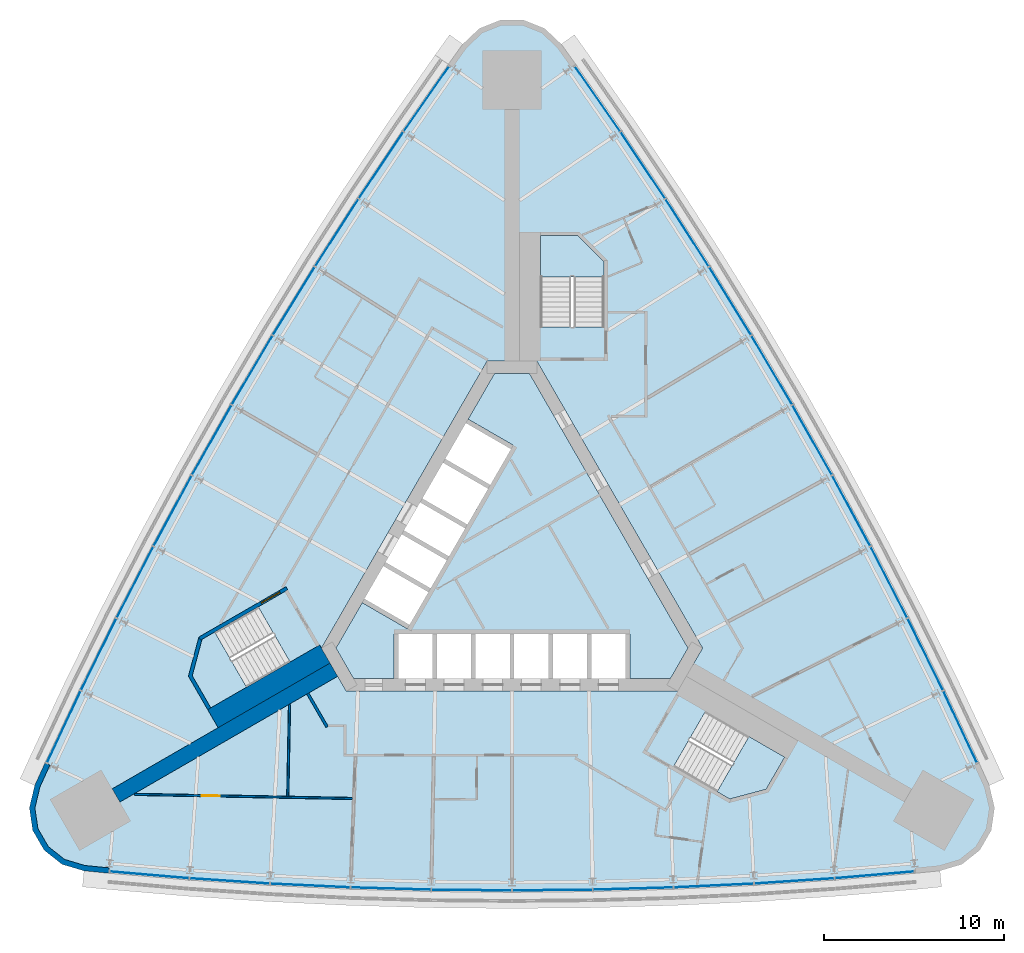
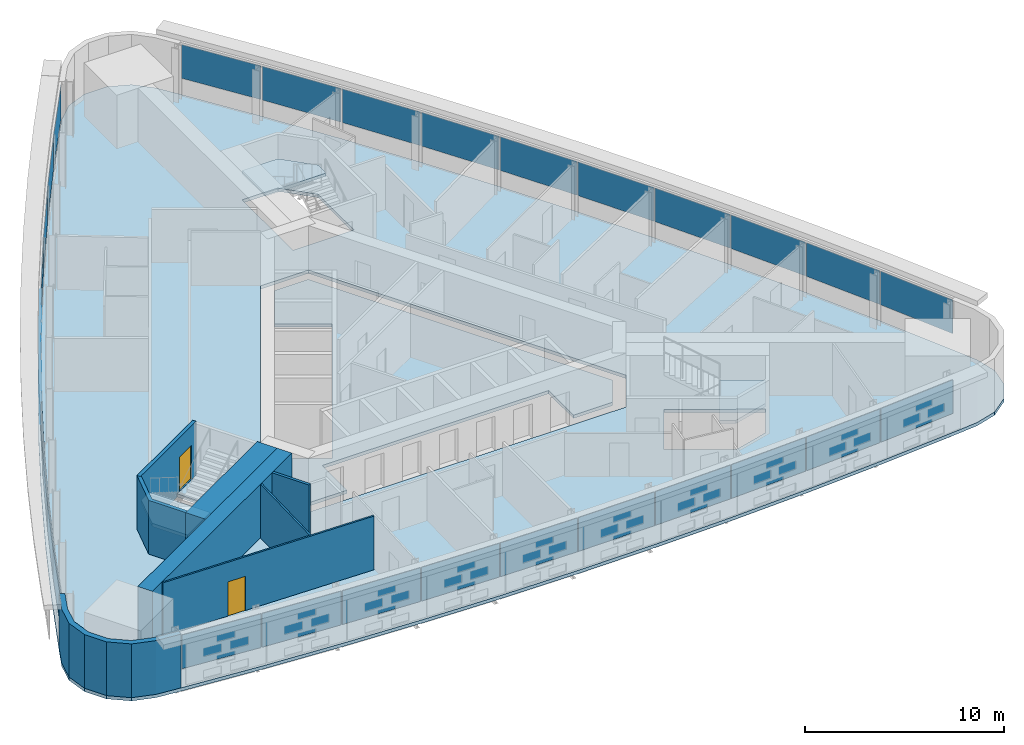
# One storey, part 9 of 15: 30 plates, 8 walls, 5 slabs, 2 doors, 2 openings, 6 elements without a shape of their own.
"""IFC4 building model written with IfcOpenShell, lengths in metres."""

from ifc_helpers import new_model, si_unit, direction, frame, frame_2d, origin, origin_2d, place, context, subcontext, project, spatial, polyline, rectangle, outline, extrude, material, layer, layer_set, type_object, element, fill, aggregate, save


model = new_model("IFC4")

# Units and contexts
model_context = context("Model", 3, precision=1e-05, world=origin(), true_north=direction((0.0, 1.0)))
body_context = subcontext(model_context, "Body", "Model", "MODEL_VIEW")
ifc_project = project(units=[si_unit("LENGTHUNIT", "METRE"), si_unit("AREAUNIT", "SQUARE_METRE"), si_unit("VOLUMEUNIT", "CUBIC_METRE"), si_unit("PLANEANGLEUNIT", "RADIAN"), si_unit("MASSUNIT", "GRAM", prefix="KILO")], contexts=[model_context])

# Site, building, storey
site_placement = place(None, origin())
site = spatial("IfcSite", under=ifc_project, at=site_placement, CompositionType="ELEMENT")
building_placement = place(site_placement, origin())
building = spatial("IfcBuilding", under=site, at=building_placement, Name="Noor Cloister Tower", CompositionType="ELEMENT")
storey_placement = place(building_placement, frame((0.0, 0.0, 49.199951171875)))
storey = spatial("IfcBuildingStorey", under=building, at=storey_placement, Name="L12", CompositionType="ELEMENT", Elevation=49.199951171875)

# Slabs
ifc_material_1 = material(Name="Concrete C40/50", Category="concrete")
ifc_layer_1 = layer(ifc_material_1, 0.199951171875)
ifc_layer_set_1 = layer_set([ifc_layer_1], Name="Core floor slab 200 C40/50")
slab_type_1 = type_object("IfcSlabType", Name="Core floor slab 200 C40/50", PredefinedType="FLOOR", material=ifc_layer_set_1)
slab_1_placement = place(storey_placement, frame((0.0, 0.0, -0.199951171875)))
element("IfcSlab", 1, at=slab_1_placement, inside=storey, type_object=slab_type_1, Name="Core floor L12", PredefinedType="FLOOR", context=body_context, shape_type="SweptSolid", body=[
    extrude(outline(polyline([(-6.574951171875, -6.228271484375), (-6.574951171875, -3.728271484375), (6.574951171875, -3.728271484375), (6.574951171875, -6.228271484375), (8.82470703125, -6.228271484375), (9.80615234375, -4.5283203125), (0.9814453125, 10.75634765625), (-0.9814453125, 10.75634765625), (-2.44384765625, 8.2236328125), (0.067626953125, 6.773681640625), (-5.832275390625, -3.4453125), (-8.34375, -1.995361328125), (-9.80615234375, -4.5283203125), (-8.82470703125, -6.228271484375), (-6.574951171875, -6.228271484375)])), origin(), (0.0, 0.0, 1.0), 0.199951171875),
])
ifc_material_2 = material(Name="Concrete C40/50", Category="concrete")
ifc_layer_2 = layer(ifc_material_2, 0.199951171875)
ifc_layer_set_2 = layer_set([ifc_layer_2], Name="Floor slab 200 C40/50")
slab_type_2 = type_object("IfcSlabType", Name="Floor slab 200 C40/50", PredefinedType="FLOOR", material=ifc_layer_set_2)
slab_2_placement = place(storey_placement, frame((0.0, 0.0, -0.199951171875)))
element("IfcSlab", 2, at=slab_2_placement, inside=storey, type_object=slab_type_2, Name="Floor slab L12", PredefinedType="FLOOR", context=body_context, shape_type="SweptSolid", body=[
    extrude(outline(polyline([(2.743896484375, 29.1142578125), (1.819091796875, 29.98876953125), (0.636474609375, 30.45947265625), (-0.636474609375, 30.45947265625), (-1.819091796875, 29.98876953125), (-2.743896484375, 29.1142578125), (-3.548095703125, 27.990478515625), (-6.12109375, 24.298828125), (-8.6240234375, 20.55908203125), (-11.0556640625, 16.77294921875), (-13.415283203125, 12.941162109375), (-15.7021484375, 9.065673828125), (-17.9150390625, 5.1474609375), (-20.053466796875, 1.18798828125), (-22.11669921875, -2.81103515625), (-24.10400390625, -6.848388671875), (-26.014404296875, -10.922607421875), (-26.585693359375, -12.180908203125), (-26.880615234375, -13.419189453125), (-26.697021484375, -14.6787109375), (-26.060546875, -15.781005859375), (-25.0615234375, -16.56982421875), (-23.841796875, -16.933349609375), (-22.466552734375, -17.06787109375), (-17.98291015625, -17.450439453125), (-13.49267578125, -17.748291015625), (-8.997802734375, -17.9609375), (-4.499755859375, -18.088623046875), (0.0, -18.131103515625), (4.499755859375, -18.088623046875), (8.997802734375, -17.9609375), (13.49267578125, -17.748291015625), (17.98291015625, -17.450439453125), (22.466552734375, -17.06787109375), (23.841796875, -16.933349609375), (25.0615234375, -16.56982421875), (26.060546875, -15.781005859375), (26.697021484375, -14.6787109375), (26.880615234375, -13.419189453125), (26.585693359375, -12.180908203125), (26.014404296875, -10.922607421875), (24.10400390625, -6.848388671875), (22.11669921875, -2.81103515625), (20.053466796875, 1.18798828125), (17.9150390625, 5.1474609375), (15.7021484375, 9.065673828125), (13.415283203125, 12.941162109375), (11.0556640625, 16.77294921875), (8.6240234375, 20.55908203125), (6.12109375, 24.298828125), (3.548095703125, 27.990478515625), (2.743896484375, 29.1142578125)]), holes=[polyline([(8.999755859375, -11.126220703125), (12.131591796875, -12.934326171875), (14.1572265625, -12.3916015625), (15.19091796875, -10.601318359375), (10.774658203125, -8.0517578125), (8.999755859375, -11.126220703125)]), polyline([(-17.81005859375, -6.064697265625), (-16.776611328125, -7.85498046875), (-12.3603515625, -5.305419921875), (-14.13525390625, -2.23095703125), (-16.662841796875, -3.690185546875), (-17.267333984375, -4.039306640625), (-17.81005859375, -6.064697265625)]), polyline([(-10.6142578125, -4.5283203125), (-9.228759765625, -6.92822265625), (9.228759765625, -6.92822265625), (10.6142578125, -4.5283203125), (1.3857421875, 11.456298828125), (-1.3857421875, 11.456298828125), (-10.6142578125, -4.5283203125)]), polyline([(3.65283203125, 18.456298828125), (1.585693359375, 18.456298828125), (1.585693359375, 13.35693359375), (5.135498046875, 13.35693359375), (5.135498046875, 16.9736328125), (3.65283203125, 18.456298828125)])]), origin(), (0.0, 0.0, 1.0), 0.199951171875),
])

# Curtain wall, plates
ifc_material_3 = material(Name="Aluminium 6063-T6 anodised", Category="aluminium")
curtain_wall_type = type_object("IfcCurtainWallType", Name="Ribbon curtain wall, lower tower CW1", PredefinedType="NOTDEFINED", material=ifc_material_3)
curtain_wall_1_placement = place(storey_placement, origin())
curtain_wall_1 = element("IfcCurtainWall", 3, at=curtain_wall_1_placement, inside=storey, type_object=curtain_wall_type, Name="CW1 L12 NW run 1", PredefinedType="NOTDEFINED")
ifc_material_4 = material(Name="Clear laminated glass 2 x 8 mm", Category="glass")
ifc_layer_3 = layer(ifc_material_4, 0.028076171875)
ifc_layer_set_3 = layer_set([ifc_layer_3], Name="Glass panel CW1")
plate_type = type_object("IfcPlateType", Name="Glass panel CW1", PredefinedType="CURTAIN_PANEL", material=ifc_layer_set_3)
plate_1_placement = place(storey_placement, frame((-4.763671875, 26.071533203125, 1.08984375), z_axis=(0.0, 0.0, 1.0), x_axis=(-0.5718180864, -0.820380445931, 0.0)))
plate_1 = element("IfcPlate", 4, at=plate_1_placement, type_object=plate_type, Name="CW1 glass panel 1", PredefinedType="CURTAIN_PANEL", context=body_context, shape_type="SweptSolid", body=[
    extrude(rectangle(XDim=4.39892578125, YDim=0.028076171875, at=origin_2d()), origin(), (0.0, 0.0, 1.0), 2.070068359375),
])
plate_2_placement = place(storey_placement, frame((-7.28955078125, 22.373291015625, 1.08984375), z_axis=(0.0, 0.0, 1.0), x_axis=(-0.55619848233, -0.831049486044, 0.0)))
plate_2 = element("IfcPlate", 5, at=plate_2_placement, type_object=plate_type, Name="CW1 glass panel 2", PredefinedType="CURTAIN_PANEL", context=body_context, shape_type="SweptSolid", body=[
    extrude(rectangle(XDim=4.43798828125, YDim=0.028076171875, at=origin_2d()), origin(), (0.0, 0.0, 1.0), 2.070068359375),
])
plate_3_placement = place(storey_placement, frame((-9.755615234375, 18.612060546875, 1.08984375), z_axis=(0.0, 0.0, 1.0), x_axis=(-0.540379870194, -0.841421176278, 0.0)))
plate_3 = element("IfcPlate", 6, at=plate_3_placement, type_object=plate_type, Name="CW1 glass panel 3", PredefinedType="CURTAIN_PANEL", context=body_context, shape_type="SweptSolid", body=[
    extrude(rectangle(XDim=4.43798828125, YDim=0.028076171875, at=origin_2d()), origin(), (0.0, 0.0, 1.0), 2.070068359375),
])
plate_4_placement = place(storey_placement, frame((-12.150390625, 14.8046875, 1.08984375), z_axis=(0.0, 0.0, 1.0), x_axis=(-0.524367909897, -0.851491805639, 0.0)))
plate_4 = element("IfcPlate", 7, at=plate_4_placement, type_object=plate_type, Name="CW1 glass panel 4", PredefinedType="CURTAIN_PANEL", context=body_context, shape_type="SweptSolid", body=[
    extrude(rectangle(XDim=4.43798828125, YDim=0.028076171875, at=origin_2d()), origin(), (0.0, 0.0, 1.0), 2.070068359375),
])
plate_5_placement = place(storey_placement, frame((-14.47265625, 10.95263671875, 1.08984375), z_axis=(0.0, 0.0, 1.0), x_axis=(-0.508168330528, -0.86125777085, 0.0)))
plate_5 = element("IfcPlate", 8, at=plate_5_placement, type_object=plate_type, Name="CW1 glass panel 5", PredefinedType="CURTAIN_PANEL", context=body_context, shape_type="SweptSolid", body=[
    extrude(rectangle(XDim=4.43798828125, YDim=0.028076171875, at=origin_2d()), origin(), (0.0, 0.0, 1.0), 2.070068359375),
])
plate_6_placement = place(storey_placement, frame((-16.721435546875, 7.057373046875, 1.08984375), z_axis=(0.0, 0.0, 1.0), x_axis=(-0.491786943499, -0.87071556906, 0.0)))
plate_6 = element("IfcPlate", 9, at=plate_6_placement, type_object=plate_type, Name="CW1 glass panel 6", PredefinedType="CURTAIN_PANEL", context=body_context, shape_type="SweptSolid", body=[
    extrude(rectangle(XDim=4.43798828125, YDim=0.028076171875, at=origin_2d()), origin(), (0.0, 0.0, 1.0), 2.070068359375),
])
plate_7_placement = place(storey_placement, frame((-18.896240234375, 3.120361328125, 1.08984375), z_axis=(0.0, 0.0, 1.0), x_axis=(-0.475229579849, -0.87986183372, 0.0)))
plate_7 = element("IfcPlate", 10, at=plate_7_placement, type_object=plate_type, Name="CW1 glass panel 7", PredefinedType="CURTAIN_PANEL", context=body_context, shape_type="SweptSolid", body=[
    extrude(rectangle(XDim=4.43798828125, YDim=0.028076171875, at=origin_2d()), origin(), (0.0, 0.0, 1.0), 2.070068359375),
])
plate_8_placement = place(storey_placement, frame((-20.996337890625, -0.857177734375, 1.08984375), z_axis=(0.0, 0.0, 1.0), x_axis=(-0.458502178842, -0.888693283421, 0.0)))
plate_8 = element("IfcPlate", 11, at=plate_8_placement, type_object=plate_type, Name="CW1 glass panel 8", PredefinedType="CURTAIN_PANEL", context=body_context, shape_type="SweptSolid", body=[
    extrude(rectangle(XDim=4.43798828125, YDim=0.028076171875, at=origin_2d()), origin(), (0.0, 0.0, 1.0), 2.070068359375),
])
plate_9_placement = place(storey_placement, frame((-23.020751953125, -4.873779296875, 1.08984375), z_axis=(0.0, 0.0, 1.0), x_axis=(-0.441610725551, -0.897206758266, 0.0)))
plate_9 = element("IfcPlate", 12, at=plate_9_placement, type_object=plate_type, Name="CW1 glass panel 9", PredefinedType="CURTAIN_PANEL", context=body_context, shape_type="SweptSolid", body=[
    extrude(rectangle(XDim=4.43798828125, YDim=0.028076171875, at=origin_2d()), origin(), (0.0, 0.0, 1.0), 2.070068359375),
])
plate_10_placement = place(storey_placement, frame((-24.96044921875, -8.91015625, 1.08984375), z_axis=(0.0, 0.0, 1.0), x_axis=(-0.424561263744, -0.905399212131, 0.0)))
plate_10 = element("IfcPlate", 13, at=plate_10_placement, type_object=plate_type, Name="CW1 glass panel 10", PredefinedType="CURTAIN_PANEL", context=body_context, shape_type="SweptSolid", body=[
    extrude(rectangle(XDim=4.39892578125, YDim=0.028076171875, at=origin_2d()), origin(), (0.0, 0.0, 1.0), 2.070068359375),
])
aggregate(curtain_wall_1, [plate_1, plate_2, plate_3, plate_4, plate_5, plate_6, plate_7, plate_8, plate_9, plate_10])

curtain_wall_2_placement = place(storey_placement, origin())
curtain_wall_2 = element("IfcCurtainWall", 14, at=curtain_wall_2_placement, inside=storey, type_object=curtain_wall_type, Name="CW1 L12 S run 2", PredefinedType="NOTDEFINED")
plate_11_placement = place(storey_placement, frame((-20.19677734375, -17.161376953125, 1.08984375), z_axis=(0.0, 0.0, 1.0), x_axis=(0.996379350144, -0.085018766201, 0.0)))
plate_11 = element("IfcPlate", 15, at=plate_11_placement, type_object=plate_type, Name="CW1 glass panel 1", PredefinedType="CURTAIN_PANEL", context=body_context, shape_type="SweptSolid", body=[
    extrude(rectangle(XDim=4.39892578125, YDim=0.028076171875, at=origin_2d()), origin(), (0.0, 0.0, 1.0), 2.070068359375),
])
plate_12_placement = place(storey_placement, frame((-15.731201171875, -17.49951171875, 1.08984375), z_axis=(0.0, 0.0, 1.0), x_axis=(0.997809207881, -0.066157272222, 0.0)))
plate_12 = element("IfcPlate", 16, at=plate_12_placement, type_object=plate_type, Name="CW1 glass panel 2", PredefinedType="CURTAIN_PANEL", context=body_context, shape_type="SweptSolid", body=[
    extrude(rectangle(XDim=4.43798828125, YDim=0.028076171875, at=origin_2d()), origin(), (0.0, 0.0, 1.0), 2.070068359375),
])
plate_13_placement = place(storey_placement, frame((-11.240478515625, -17.754638671875, 1.08984375), z_axis=(0.0, 0.0, 1.0), x_axis=(0.998882049036, -0.047272107142, 0.0)))
plate_13 = element("IfcPlate", 17, at=plate_13_placement, type_object=plate_type, Name="CW1 glass panel 3", PredefinedType="CURTAIN_PANEL", context=body_context, shape_type="SweptSolid", body=[
    extrude(rectangle(XDim=4.43798828125, YDim=0.028076171875, at=origin_2d()), origin(), (0.0, 0.0, 1.0), 2.070068359375),
])
plate_14_placement = place(storey_placement, frame((-6.745849609375, -17.9248046875, 1.08984375), z_axis=(0.0, 0.0, 1.0), x_axis=(0.999597489746, -0.028370028081, 0.0)))
plate_14 = element("IfcPlate", 18, at=plate_14_placement, type_object=plate_type, Name="CW1 glass panel 4", PredefinedType="CURTAIN_PANEL", context=body_context, shape_type="SweptSolid", body=[
    extrude(rectangle(XDim=4.43798828125, YDim=0.028076171875, at=origin_2d()), origin(), (0.0, 0.0, 1.0), 2.070068359375),
])
plate_15_placement = place(storey_placement, frame((-2.2490234375, -18.010009765625, 1.08984375), z_axis=(0.0, 0.0, 1.0), x_axis=(0.999955274026, -0.009457798211, 0.0)))
plate_15 = element("IfcPlate", 19, at=plate_15_placement, type_object=plate_type, Name="CW1 glass panel 5", PredefinedType="CURTAIN_PANEL", context=body_context, shape_type="SweptSolid", body=[
    extrude(rectangle(XDim=4.43798828125, YDim=0.028076171875, at=origin_2d()), origin(), (0.0, 0.0, 1.0), 2.070068359375),
])
plate_16_placement = place(storey_placement, frame((2.2490234375, -18.010009765625, 1.08984375), z_axis=(0.0, 0.0, 1.0), x_axis=(0.999955274026, 0.009457798211, 0.0)))
plate_16 = element("IfcPlate", 20, at=plate_16_placement, type_object=plate_type, Name="CW1 glass panel 6", PredefinedType="CURTAIN_PANEL", context=body_context, shape_type="SweptSolid", body=[
    extrude(rectangle(XDim=4.43798828125, YDim=0.028076171875, at=origin_2d()), origin(), (0.0, 0.0, 1.0), 2.070068359375),
])
plate_17_placement = place(storey_placement, frame((6.745849609375, -17.9248046875, 1.08984375), z_axis=(0.0, 0.0, 1.0), x_axis=(0.999597489746, 0.028370028081, 0.0)))
plate_17 = element("IfcPlate", 21, at=plate_17_placement, type_object=plate_type, Name="CW1 glass panel 7", PredefinedType="CURTAIN_PANEL", context=body_context, shape_type="SweptSolid", body=[
    extrude(rectangle(XDim=4.43798828125, YDim=0.028076171875, at=origin_2d()), origin(), (0.0, 0.0, 1.0), 2.070068359375),
])
plate_18_placement = place(storey_placement, frame((11.240478515625, -17.754638671875, 1.08984375), z_axis=(0.0, 0.0, 1.0), x_axis=(0.998882049036, 0.047272107142, 0.0)))
plate_18 = element("IfcPlate", 22, at=plate_18_placement, type_object=plate_type, Name="CW1 glass panel 8", PredefinedType="CURTAIN_PANEL", context=body_context, shape_type="SweptSolid", body=[
    extrude(rectangle(XDim=4.43798828125, YDim=0.028076171875, at=origin_2d()), origin(), (0.0, 0.0, 1.0), 2.070068359375),
])
plate_19_placement = place(storey_placement, frame((15.731201171875, -17.49951171875, 1.08984375), z_axis=(0.0, 0.0, 1.0), x_axis=(0.997809207881, 0.066157272222, 0.0)))
plate_19 = element("IfcPlate", 23, at=plate_19_placement, type_object=plate_type, Name="CW1 glass panel 9", PredefinedType="CURTAIN_PANEL", context=body_context, shape_type="SweptSolid", body=[
    extrude(rectangle(XDim=4.43798828125, YDim=0.028076171875, at=origin_2d()), origin(), (0.0, 0.0, 1.0), 2.070068359375),
])
plate_20_placement = place(storey_placement, frame((20.19677734375, -17.161376953125, 1.08984375), z_axis=(0.0, 0.0, 1.0), x_axis=(0.996379350144, 0.085018766201, 0.0)))
plate_20 = element("IfcPlate", 24, at=plate_20_placement, type_object=plate_type, Name="CW1 glass panel 10", PredefinedType="CURTAIN_PANEL", context=body_context, shape_type="SweptSolid", body=[
    extrude(rectangle(XDim=4.39892578125, YDim=0.028076171875, at=origin_2d()), origin(), (0.0, 0.0, 1.0), 2.070068359375),
])
aggregate(curtain_wall_2, [plate_11, plate_12, plate_13, plate_14, plate_15, plate_16, plate_17, plate_18, plate_19, plate_20])

curtain_wall_3_placement = place(storey_placement, origin())
curtain_wall_3 = element("IfcCurtainWall", 25, at=curtain_wall_3_placement, inside=storey, type_object=curtain_wall_type, Name="CW1 L12 NE run 3", PredefinedType="NOTDEFINED")
plate_21_placement = place(storey_placement, frame((24.96044921875, -8.91015625, 1.08984375), z_axis=(0.0, 0.0, 1.0), x_axis=(-0.424561263744, 0.905399212131, 0.0)))
plate_21 = element("IfcPlate", 26, at=plate_21_placement, type_object=plate_type, Name="CW1 glass panel 1", PredefinedType="CURTAIN_PANEL", context=body_context, shape_type="SweptSolid", body=[
    extrude(rectangle(XDim=4.39892578125, YDim=0.028076171875, at=origin_2d()), origin(), (0.0, 0.0, 1.0), 2.070068359375),
])
plate_22_placement = place(storey_placement, frame((23.020751953125, -4.873779296875, 1.08984375), z_axis=(0.0, 0.0, 1.0), x_axis=(-0.441610725551, 0.897206758266, 0.0)))
plate_22 = element("IfcPlate", 27, at=plate_22_placement, type_object=plate_type, Name="CW1 glass panel 2", PredefinedType="CURTAIN_PANEL", context=body_context, shape_type="SweptSolid", body=[
    extrude(rectangle(XDim=4.43798828125, YDim=0.028076171875, at=origin_2d()), origin(), (0.0, 0.0, 1.0), 2.070068359375),
])
plate_23_placement = place(storey_placement, frame((20.996337890625, -0.857177734375, 1.08984375), z_axis=(0.0, 0.0, 1.0), x_axis=(-0.458502178842, 0.888693283421, 0.0)))
plate_23 = element("IfcPlate", 28, at=plate_23_placement, type_object=plate_type, Name="CW1 glass panel 3", PredefinedType="CURTAIN_PANEL", context=body_context, shape_type="SweptSolid", body=[
    extrude(rectangle(XDim=4.43798828125, YDim=0.028076171875, at=origin_2d()), origin(), (0.0, 0.0, 1.0), 2.070068359375),
])
plate_24_placement = place(storey_placement, frame((18.896240234375, 3.120361328125, 1.08984375), z_axis=(0.0, 0.0, 1.0), x_axis=(-0.475229579849, 0.87986183372, 0.0)))
plate_24 = element("IfcPlate", 29, at=plate_24_placement, type_object=plate_type, Name="CW1 glass panel 4", PredefinedType="CURTAIN_PANEL", context=body_context, shape_type="SweptSolid", body=[
    extrude(rectangle(XDim=4.43798828125, YDim=0.028076171875, at=origin_2d()), origin(), (0.0, 0.0, 1.0), 2.070068359375),
])
plate_25_placement = place(storey_placement, frame((16.721435546875, 7.057373046875, 1.08984375), z_axis=(0.0, 0.0, 1.0), x_axis=(-0.491786943499, 0.87071556906, 0.0)))
plate_25 = element("IfcPlate", 30, at=plate_25_placement, type_object=plate_type, Name="CW1 glass panel 5", PredefinedType="CURTAIN_PANEL", context=body_context, shape_type="SweptSolid", body=[
    extrude(rectangle(XDim=4.43798828125, YDim=0.028076171875, at=origin_2d()), origin(), (0.0, 0.0, 1.0), 2.070068359375),
])
plate_26_placement = place(storey_placement, frame((14.47265625, 10.95263671875, 1.08984375), z_axis=(0.0, 0.0, 1.0), x_axis=(-0.508168330528, 0.86125777085, 0.0)))
plate_26 = element("IfcPlate", 31, at=plate_26_placement, type_object=plate_type, Name="CW1 glass panel 6", PredefinedType="CURTAIN_PANEL", context=body_context, shape_type="SweptSolid", body=[
    extrude(rectangle(XDim=4.43798828125, YDim=0.028076171875, at=origin_2d()), origin(), (0.0, 0.0, 1.0), 2.070068359375),
])
plate_27_placement = place(storey_placement, frame((12.150390625, 14.8046875, 1.08984375), z_axis=(0.0, 0.0, 1.0), x_axis=(-0.524367909897, 0.851491805639, 0.0)))
plate_27 = element("IfcPlate", 32, at=plate_27_placement, type_object=plate_type, Name="CW1 glass panel 7", PredefinedType="CURTAIN_PANEL", context=body_context, shape_type="SweptSolid", body=[
    extrude(rectangle(XDim=4.43798828125, YDim=0.028076171875, at=origin_2d()), origin(), (0.0, 0.0, 1.0), 2.070068359375),
])
plate_28_placement = place(storey_placement, frame((9.755615234375, 18.612060546875, 1.08984375), z_axis=(0.0, 0.0, 1.0), x_axis=(-0.540379870194, 0.841421176278, 0.0)))
plate_28 = element("IfcPlate", 33, at=plate_28_placement, type_object=plate_type, Name="CW1 glass panel 8", PredefinedType="CURTAIN_PANEL", context=body_context, shape_type="SweptSolid", body=[
    extrude(rectangle(XDim=4.43798828125, YDim=0.028076171875, at=origin_2d()), origin(), (0.0, 0.0, 1.0), 2.070068359375),
])
plate_29_placement = place(storey_placement, frame((7.28955078125, 22.373291015625, 1.08984375), z_axis=(0.0, 0.0, 1.0), x_axis=(-0.55619848233, 0.831049486044, 0.0)))
plate_29 = element("IfcPlate", 34, at=plate_29_placement, type_object=plate_type, Name="CW1 glass panel 9", PredefinedType="CURTAIN_PANEL", context=body_context, shape_type="SweptSolid", body=[
    extrude(rectangle(XDim=4.43798828125, YDim=0.028076171875, at=origin_2d()), origin(), (0.0, 0.0, 1.0), 2.070068359375),
])
plate_30_placement = place(storey_placement, frame((4.763671875, 26.071533203125, 1.08984375), z_axis=(0.0, 0.0, 1.0), x_axis=(-0.5718180864, 0.820380445931, 0.0)))
plate_30 = element("IfcPlate", 35, at=plate_30_placement, type_object=plate_type, Name="CW1 glass panel 10", PredefinedType="CURTAIN_PANEL", context=body_context, shape_type="SweptSolid", body=[
    extrude(rectangle(XDim=4.39892578125, YDim=0.028076171875, at=origin_2d()), origin(), (0.0, 0.0, 1.0), 2.070068359375),
])
aggregate(curtain_wall_3, [plate_21, plate_22, plate_23, plate_24, plate_25, plate_26, plate_27, plate_28, plate_29, plate_30])

# Stair, slab
ifc_material_5 = material(Name="Concrete C40/50", Category="concrete")
stair_type = type_object("IfcStairType", Name="Exit stair 22 risers", PredefinedType="HALF_TURN_STAIR", material=ifc_material_5)
stair_1_placement = place(storey_placement, origin())
stair_1 = element("IfcStair", 36, at=stair_1_placement, inside=storey, type_object=stair_type, Name="Exit stair ST1 L12", PredefinedType="HALF_TURN_STAIR")
ifc_material_6 = material(Name="Concrete C40/50", Category="concrete")
ifc_layer_4 = layer(ifc_material_6, 0.199951171875)
ifc_layer_set_4 = layer_set([ifc_layer_4], Name="Stair landing 200 C40/50")
slab_type_3 = type_object("IfcSlabType", Name="Stair landing 200 C40/50", PredefinedType="LANDING", material=ifc_layer_set_4)
slab_3_placement = place(storey_placement, frame((0.0, 0.0, 1.60009765625)))
slab_3 = element("IfcSlab", 37, at=slab_3_placement, type_object=slab_type_3, Name="ST1 landing 1", PredefinedType="LANDING", context=body_context, shape_type="SweptSolid", body=[
    extrude(outline(polyline([(5.135498046875, 16.15576171875), (5.135498046875, 16.9736328125), (3.65283203125, 18.456298828125), (1.585693359375, 18.456298828125), (1.585693359375, 16.15576171875), (5.135498046875, 16.15576171875)])), origin(), (0.0, 0.0, 1.0), 0.199951171875),
])
aggregate(stair_1, [slab_3])

stair_2_placement = place(storey_placement, origin())
stair_2 = element("IfcStair", 38, at=stair_2_placement, inside=storey, type_object=stair_type, Name="Exit stair ST2 L12", PredefinedType="HALF_TURN_STAIR")
slab_4_placement = place(storey_placement, frame((0.0, 0.0, 1.60009765625)))
slab_4 = element("IfcSlab", 39, at=slab_4_placement, type_object=slab_type_3, Name="ST2 landing 1", PredefinedType="LANDING", context=body_context, shape_type="SweptSolid", body=[
    extrude(outline(polyline([(-16.55908203125, -3.63037109375), (-17.267333984375, -4.039306640625), (-17.81005859375, -6.064697265625), (-16.776611328125, -7.85498046875), (-14.7841796875, -6.70458984375), (-16.55908203125, -3.63037109375)])), origin(), (0.0, 0.0, 1.0), 0.199951171875),
])
aggregate(stair_2, [slab_4])

stair_3_placement = place(storey_placement, origin())
stair_3 = element("IfcStair", 40, at=stair_3_placement, inside=storey, type_object=stair_type, Name="Exit stair ST3 L12", PredefinedType="HALF_TURN_STAIR")
slab_5_placement = place(storey_placement, frame((0.0, 0.0, 1.60009765625)))
slab_5 = element("IfcSlab", 41, at=slab_5_placement, type_object=slab_type_3, Name="ST3 landing 1", PredefinedType="LANDING", context=body_context, shape_type="SweptSolid", body=[
    extrude(outline(polyline([(11.423583984375, -12.525390625), (12.131591796875, -12.934326171875), (14.1572265625, -12.3916015625), (15.19091796875, -10.601318359375), (13.198486328125, -9.451171875), (11.423583984375, -12.525390625)])), origin(), (0.0, 0.0, 1.0), 0.199951171875),
])
aggregate(stair_3, [slab_5])

# Walls
ifc_material_7 = material(Name="Concrete C80/95", Category="concrete")
ifc_layer_5 = layer(ifc_material_7, 0.85009765625)
ifc_layer_set_5 = layer_set([ifc_layer_5], Name="Buttress wall 850 C80/95")
wall_type_1 = type_object("IfcWallType", Name="Buttress wall 850 C80/95", PredefinedType="SHEAR", material=ifc_layer_set_5)
wall_1_placement = place(storey_placement, frame((-9.921630859375, -5.728271484375, -0.199951171875), z_axis=(0.0, 0.0, 1.0), x_axis=(-0.866021666006, -0.500006473966, 0.0)))
element("IfcWall", 42, at=wall_1_placement, inside=storey, type_object=wall_type_1, Name="Buttress wall SW L12", PredefinedType="SHEAR", context=body_context, shape_type="SweptSolid", body=[
    extrude(rectangle(XDim=14.013427734375, YDim=0.85009765625, at=frame_2d((7.0068359375, 0.0))), origin(), (0.0, 0.0, 1.0), 3.5),
])
ifc_material_8 = material(Name="Gypsum board partition on steel studs, 150 mm", Category="steel")
ifc_layer_6 = layer(ifc_material_8, 0.14990234375)
ifc_layer_set_6 = layer_set([ifc_layer_6], Name="Flat wall 150")
wall_type_2 = type_object("IfcWallType", Name="Flat wall 150", PredefinedType="PARTITIONING", material=ifc_layer_set_6)
wall_2_placement = place(storey_placement, frame((-11.376220703125, -7.058837890625, 0.0), z_axis=(0.0, 0.0, 1.0), x_axis=(0.500076779081, -0.865981070823, 0.0)))
element("IfcWall", 43, at=wall_2_placement, inside=storey, type_object=wall_type_2, Name="Flat wall 150 L12 012", PredefinedType="PARTITIONING", context=body_context, shape_type="SweptSolid", body=[
    extrude(rectangle(XDim=2.147216796875, YDim=0.14990234375, at=frame_2d((1.07373046875, 0.0))), origin(), (0.0, 0.0, 1.0), 3.300048828125),
])
ifc_material_9 = material(Name="Limestone", Category="masonry")
ifc_layer_7 = layer(ifc_material_9, 0.300048828125)
ifc_layer_set_7 = layer_set([ifc_layer_7], Name="Limestone cladding 300")
wall_type_3 = type_object("IfcWallType", Name="Limestone cladding 300", PredefinedType="NOTDEFINED", material=ifc_layer_set_7)
wall_3_placement = place(storey_placement, origin())
element("IfcWall", 44, at=wall_3_placement, inside=storey, type_object=wall_type_3, Name="Limestone pier cladding L12 1.1", PredefinedType="NOTDEFINED", context=body_context, shape_type="SweptSolid", body=[
    extrude(outline(polyline([(-26.014404296875, -10.922607421875), (-26.585693359375, -12.180908203125), (-26.880615234375, -13.419189453125), (-26.697021484375, -14.6787109375), (-26.060546875, -15.781005859375), (-25.0615234375, -16.56982421875), (-23.841796875, -16.933349609375), (-22.466552734375, -17.06787109375), (-22.437255859375, -16.769287109375), (-23.783935546875, -16.6376953125), (-24.9208984375, -16.298828125), (-25.829345703125, -15.5810546875), (-26.408447265625, -14.578369140625), (-26.575439453125, -13.4326171875), (-26.300537109375, -12.278564453125), (-25.741455078125, -11.046630859375), (-26.014404296875, -10.922607421875)])), origin(), (0.0, 0.0, 1.0), 3.300048828125),
])

# Wall, opening, door
ifc_material_10 = material(Name="Gypsum board partition on steel studs, 100 mm", Category="steel")
ifc_layer_8 = layer(ifc_material_10, 0.10009765625)
ifc_layer_set_8 = layer_set([ifc_layer_8], Name="Partition 100")
wall_type_4 = type_object("IfcWallType", Name="Partition 100", PredefinedType="PARTITIONING", material=ifc_layer_set_8)
wall_4_placement = place(storey_placement, frame((-21.01708984375, -12.674560546875, 0.0), z_axis=(0.0, 0.0, 1.0), x_axis=(0.999821316728, -0.018903296414, 0.0)))
wall_4 = element("IfcWall", 45, at=wall_4_placement, inside=storey, type_object=wall_type_4, Name="Partition 100 L12 023", PredefinedType="PARTITIONING", context=body_context, shape_type="SweptSolid", body=[
    extrude(rectangle(XDim=12.12744140625, YDim=0.10009765625, at=frame_2d((6.063720703125, 0.0))), origin(), (0.0, 0.0, 1.0), 3.300048828125),
])
opening_1_placement = place(wall_4_placement, frame((3.73876953125, 0.0, 0.0)))
opening_1 = element("IfcOpeningElement", 46, at=opening_1_placement, cuts=wall_4, Name="Opening L12-014", PredefinedType="OPENING", context=body_context, shape_type="SweptSolid", body=[
    extrude(rectangle(XDim=1.0, YDim=2.10009765625, at=frame_2d((0.5, 1.050048828125))), frame((0.0, 0.06005859375, 0.0), z_axis=(0.0, -1.0, 0.0), x_axis=(1.0, 0.0, 0.0)), (0.0, 0.0, 1.0), 0.1201171875),
])
ifc_material_11 = material(Name="Timber door leaf with steel frame", Category="steel")
door_type_1 = type_object("IfcDoorType", Name="Interior door 1000", OperationType="NOTDEFINED", PredefinedType="DOOR", material=ifc_material_11)
door_1_placement = place(opening_1_placement, origin())
door_1 = element("IfcDoor", 47, at=door_1_placement, inside=storey, type_object=door_type_1, Name="Interior door 1000 L12-014", OperationType="SINGLE_SWING_LEFT", OverallHeight=2.10009765625, OverallWidth=1.0, PredefinedType="DOOR", context=body_context, shape_type="SweptSolid", body=[
    extrude(rectangle(XDim=1.0, YDim=2.10009765625, at=frame_2d((0.5, 1.050048828125))), frame((0.0, 0.02490234375, 0.0), z_axis=(0.0, -1.0, 0.0), x_axis=(1.0, 0.0, 0.0)), (0.0, 0.0, 1.0), 0.050048828125),
])
fill(opening_1, door_1)

# Walls
wall_5_placement = place(storey_placement, frame((-12.490234375, -12.785888671875, 0.0), z_axis=(0.0, 0.0, 1.0), x_axis=(0.018916824658, 0.999821060863, 0.0)))
element("IfcWall", 48, at=wall_5_placement, inside=storey, type_object=wall_type_4, Name="Partition 100 L12 029", PredefinedType="PARTITIONING", context=body_context, shape_type="SweptSolid", body=[
    extrude(rectangle(XDim=5.11083984375, YDim=0.10009765625, at=frame_2d((2.555419921875, 0.0))), origin(), (0.0, 0.0, 1.0), 3.300048828125),
])
ifc_material_12 = material(Name="Concrete C80/95", Category="concrete")
ifc_layer_9 = layer(ifc_material_12, 1.160888671875)
ifc_layer_set_9 = layer_set([ifc_layer_9], Name="Stair enclosure wall 1161 C80/95")
wall_type_5 = type_object("IfcWallType", Name="Stair enclosure wall 1161 C80/95", PredefinedType="SHEAR", material=ifc_layer_set_9)
wall_6_placement = place(storey_placement, frame((-10.42431640625, -4.857666015625, -0.199951171875), z_axis=(0.0, 0.0, 1.0), x_axis=(-0.866033125095, -0.499986626058, 0.0)))
element("IfcWall", 49, at=wall_6_placement, inside=storey, type_object=wall_type_5, Name="Stair enclosure wall ST2 L12 riser side", PredefinedType="SHEAR", context=body_context, shape_type="SweptSolid", body=[
    extrude(rectangle(XDim=7.199951171875, YDim=1.16064453125, at=frame_2d((3.60009765625, 0.0))), origin(), (0.0, 0.0, 1.0), 3.5),
])

# Wall, opening, door
ifc_material_13 = material(Name="Concrete C80/95", Category="concrete")
ifc_layer_10 = layer(ifc_material_13, 0.199951171875)
ifc_layer_set_10 = layer_set([ifc_layer_10], Name="Stair enclosure wall 200 C80/95")
wall_type_6 = type_object("IfcWallType", Name="Stair enclosure wall 200 C80/95", PredefinedType="SHEAR", material=ifc_layer_set_10)
wall_7_placement = place(storey_placement, frame((-12.539306640625, -1.194091796875, -0.199951171875), z_axis=(0.0, 0.0, 1.0), x_axis=(-0.866045472092, -0.499965239061, 0.0)))
wall_7 = element("IfcWall", 50, at=wall_7_placement, inside=storey, type_object=wall_type_6, Name="Stair enclosure wall ST2 L12 outer side", PredefinedType="SHEAR", context=body_context, shape_type="SweptSolid", body=[
    extrude(rectangle(XDim=5.60009765625, YDim=0.199951171875, at=frame_2d((2.800048828125, 0.0))), origin(), (0.0, 0.0, 1.0), 3.5),
])
opening_2_placement = place(wall_7_placement, frame((0.449951171875, 0.0, 0.199951171875)))
opening_2 = element("IfcOpeningElement", 51, at=opening_2_placement, cuts=wall_7, Name="Opening L12-ST2C", PredefinedType="OPENING", context=body_context, shape_type="SweptSolid", body=[
    extrude(rectangle(XDim=1.199951171875, YDim=2.10009765625, at=frame_2d((0.60009765625, 1.050048828125))), frame((0.0, 0.10986328125, 0.0), z_axis=(0.0, -1.0, 0.0), x_axis=(1.0, 0.0, 0.0)), (0.0, 0.0, 1.0), 0.219970703125),
])
ifc_material_14 = material(Name="Steel", Category="steel")
door_type_2 = type_object("IfcDoorType", Name="Stair door 1200 x 2100 FD120", OperationType="SINGLE_SWING_LEFT", PredefinedType="DOOR", material=ifc_material_14)
door_2_placement = place(opening_2_placement, origin())
door_2 = element("IfcDoor", 52, at=door_2_placement, inside=storey, type_object=door_type_2, Name="Stair door ST2 L12", OperationType="SINGLE_SWING_LEFT", OverallHeight=2.10009765625, OverallWidth=1.199951171875, PredefinedType="DOOR", context=body_context, shape_type="SweptSolid", body=[
    extrude(rectangle(XDim=1.199951171875, YDim=2.10009765625, at=frame_2d((0.60009765625, 1.050048828125))), frame((0.0, 0.02490234375, 0.0), z_axis=(0.0, -1.0, 0.0), x_axis=(1.0, 0.0, 0.0)), (0.0, 0.0, 1.0), 0.050048828125),
])
fill(opening_2, door_2)

# Wall
ifc_material_15 = material(Name="Concrete C80/95", Category="concrete")
wall_type_7 = type_object("IfcWallType", Name="Stair far end wall C80/95", PredefinedType="SHEAR", material=ifc_material_15)
wall_8_placement = place(storey_placement, frame((0.0, 0.0, -0.199951171875)))
element("IfcWall", 53, at=wall_8_placement, inside=storey, type_object=wall_type_7, Name="Stair enclosure wall ST2 L12 far end", PredefinedType="SHEAR", context=body_context, shape_type="SweptSolid", body=[
    extrude(outline(polyline([(-17.439208984375, -3.907470703125), (-18.024658203125, -6.093017578125), (-16.94970703125, -7.955078125), (-16.776611328125, -7.85498046875), (-17.81005859375, -6.064697265625), (-17.267333984375, -4.039306640625), (-17.339111328125, -4.08056640625), (-17.339111328125, -4.08056640625), (-17.339111328125, -4.08056640625), (-17.339111328125, -4.08056640625), (-17.339111328125, -4.08056640625), (-17.339111328125, -4.08056640625), (-17.339111328125, -4.08056640625), (-17.339111328125, -4.08056640625), (-17.339111328125, -4.08056640625), (-17.339111328125, -4.08056640625), (-17.339111328125, -4.08056640625), (-17.339111328125, -4.08056640625), (-17.339111328125, -4.08056640625), (-17.339111328125, -4.08056640625), (-17.339111328125, -4.08056640625), (-17.339111328125, -4.08056640625), (-17.339111328125, -4.08056640625), (-17.439208984375, -3.907470703125)])), origin(), (0.0, 0.0, 1.0), 3.5),
])

save(model, "model.ifc")
